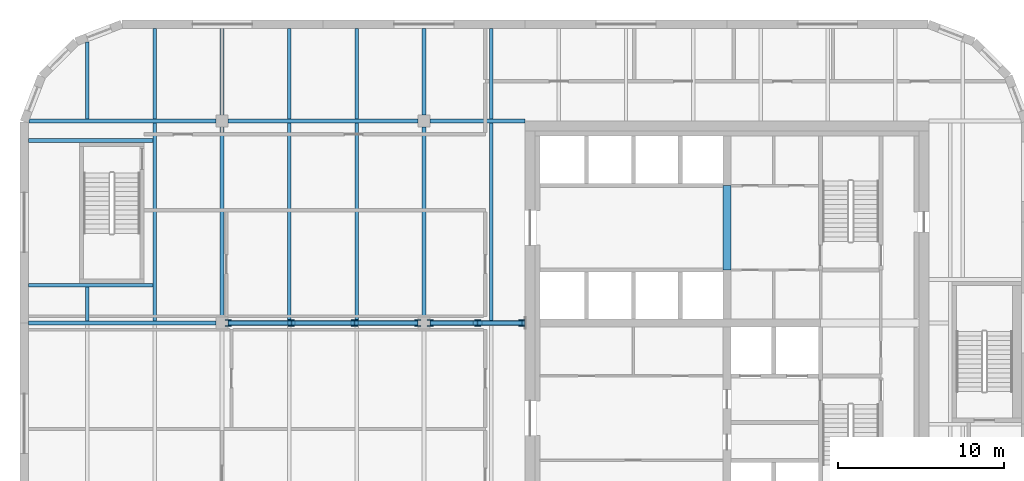
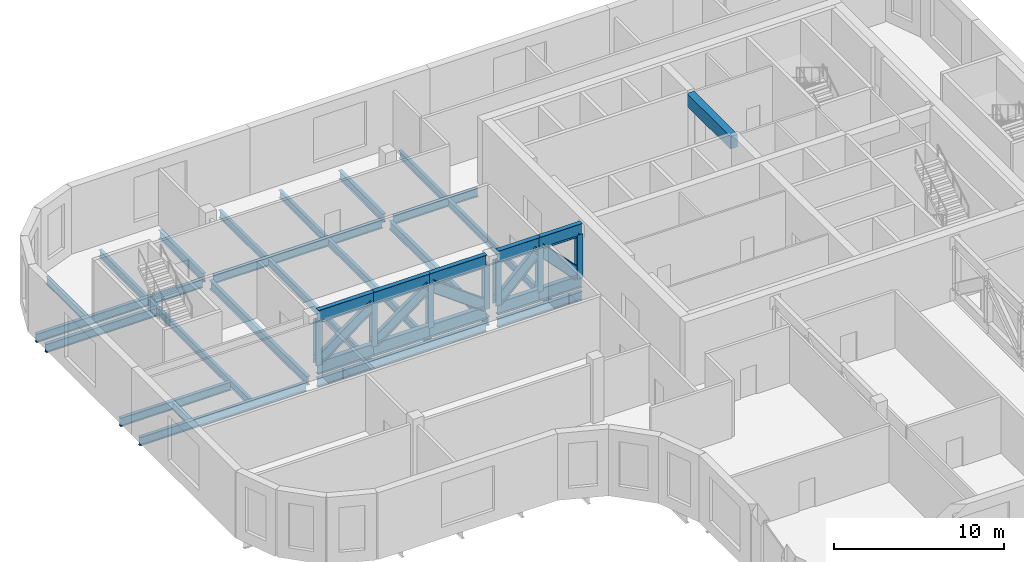
# One storey, part 3 of 12: 33 beams, 12 members.
"""IFC4 building model written with IfcOpenShell, lengths in metres."""

from ifc_helpers import new_model, si_unit, direction, frame, origin, origin_2d, place, context, subcontext, project, spatial, rectangle, i_section, extrude, material, material_profile, profile_set, type_object, element, save


model = new_model("IFC4")

# Units and contexts
model_context = context("Model", 3, precision=1e-05, world=origin(), true_north=direction((0.0, 1.0)))
body_context = subcontext(model_context, "Body", "Model", "MODEL_VIEW")
ifc_project = project(units=[si_unit("LENGTHUNIT", "METRE"), si_unit("AREAUNIT", "SQUARE_METRE"), si_unit("VOLUMEUNIT", "CUBIC_METRE"), si_unit("PLANEANGLEUNIT", "RADIAN"), si_unit("MASSUNIT", "GRAM", prefix="KILO")], contexts=[model_context])

# Site, building, storey
site_placement = place(None, origin())
site = spatial("IfcSite", under=ifc_project, at=site_placement, CompositionType="ELEMENT")
building_placement = place(site_placement, origin())
building = spatial("IfcBuilding", under=site, at=building_placement, Name="Tessera Gate Towers", CompositionType="ELEMENT")
storey_placement = place(building_placement, frame((0.0, 0.0, 150.60009765625)))
storey = spatial("IfcBuildingStorey", under=building, at=storey_placement, Name="L37", CompositionType="ELEMENT", Elevation=150.60009765625)

# Beams
ifc_material_1 = material(Name="Concrete C50/60", Category="concrete")
ifc_material_profile_1 = material_profile(ifc_material_1, rectangle(XDim=0.5, YDim=0.89990234375, at=origin_2d()), Name="RC 500x900")
ifc_profile_set_1 = profile_set([ifc_material_profile_1], Name="Concrete C50/60")
beam_type_1 = type_object("IfcBeamType", Name="COUPLING BEAM 500x900 C50/60", PredefinedType="BEAM", material=ifc_profile_set_1)
beam_1_placement = place(storey_placement, frame((42.699951171875, 39.800048828125, 4.14990234375), z_axis=(0.0, 1.0, 0.0), x_axis=(-1.0, 0.0, 0.0)))
element("IfcBeam", 1, at=beam_1_placement, inside=storey, type_object=beam_type_1, Name="L37 coupling beam 2", PredefinedType="BEAM", context=body_context, shape_type="SweptSolid", body=[
    extrude(rectangle(XDim=0.5, YDim=0.89990234375, at=origin_2d()), origin(), (0.0, 0.0, 1.0), 5.099853515625),
])
ifc_material_2 = material(Name="Steel 350W", Category="steel")
ifc_material_profile_2 = material_profile(ifc_material_2, i_section(OverallWidth=0.22900390625, OverallDepth=0.612060546875, WebThickness=0.011962890625, FlangeThickness=0.01953125, at=origin_2d()), Name="W610x125")
ifc_profile_set_2 = profile_set([ifc_material_profile_2], Name="Steel 350W")
beam_type_2 = type_object("IfcBeamType", Name="FLOOR GIRDER W610x125", PredefinedType="BEAM", material=ifc_profile_set_2)
beam_2_placement = place(storey_placement, frame((0.4990234375, 36.60009765625, -0.606201171875), z_axis=(1.0, 0.0, 0.0), x_axis=(0.0, 1.0, 0.0)))
element("IfcBeam", 2, at=beam_2_placement, inside=storey, type_object=beam_type_2, Name="T1-GD-L37-4303", PredefinedType="BEAM", context=body_context, shape_type="SweptSolid", body=[
    extrude(i_section(OverallWidth=0.22900390625, OverallDepth=0.612060546875, WebThickness=0.011962890625, FlangeThickness=0.01953125, at=origin_2d()), origin(), (0.0, 0.0, 1.0), 11.325927734375),
])
beam_3_placement = place(storey_placement, frame((12.574951171875, 36.60009765625, -0.606201171875), z_axis=(1.0, 0.0, 0.0), x_axis=(0.0, 1.0, 0.0)))
element("IfcBeam", 3, at=beam_3_placement, inside=storey, type_object=beam_type_2, Name="T1-GD-L37-4304", PredefinedType="BEAM", context=body_context, shape_type="SweptSolid", body=[
    extrude(i_section(OverallWidth=0.22900390625, OverallDepth=0.612060546875, WebThickness=0.011962890625, FlangeThickness=0.01953125, at=origin_2d()), origin(), (0.0, 0.0, 1.0), 11.449951171875),
])
beam_4_placement = place(storey_placement, frame((24.77490234375, 36.60009765625, -0.606201171875), z_axis=(1.0, 0.0, 0.0), x_axis=(0.0, 1.0, 0.0)))
element("IfcBeam", 4, at=beam_4_placement, inside=storey, type_object=beam_type_2, Name="T1-GD-L37-4305", PredefinedType="BEAM", context=body_context, shape_type="SweptSolid", body=[
    extrude(i_section(OverallWidth=0.22900390625, OverallDepth=0.612060546875, WebThickness=0.011962890625, FlangeThickness=0.01953125, at=origin_2d()), origin(), (0.0, 0.0, 1.0), 5.72607421875),
])
beam_5_placement = place(storey_placement, frame((0.534912109375, 48.800048828125, -0.606201171875), z_axis=(1.0, 0.0, 0.0), x_axis=(0.0, 1.0, 0.0)))
element("IfcBeam", 5, at=beam_5_placement, inside=storey, type_object=beam_type_2, Name="T1-GD-L37-4307", PredefinedType="BEAM", context=body_context, shape_type="SweptSolid", body=[
    extrude(i_section(OverallWidth=0.22900390625, OverallDepth=0.612060546875, WebThickness=0.011962890625, FlangeThickness=0.01953125, at=origin_2d()), origin(), (0.0, 0.0, 1.0), 11.2900390625),
])
beam_6_placement = place(storey_placement, frame((12.574951171875, 48.800048828125, -0.606201171875), z_axis=(1.0, 0.0, 0.0), x_axis=(0.0, 1.0, 0.0)))
element("IfcBeam", 6, at=beam_6_placement, inside=storey, type_object=beam_type_2, Name="T1-GD-L37-4308", PredefinedType="BEAM", context=body_context, shape_type="SweptSolid", body=[
    extrude(i_section(OverallWidth=0.22900390625, OverallDepth=0.612060546875, WebThickness=0.011962890625, FlangeThickness=0.01953125, at=origin_2d()), origin(), (0.0, 0.0, 1.0), 11.449951171875),
])
beam_7_placement = place(storey_placement, frame((24.77490234375, 48.800048828125, -0.606201171875), z_axis=(1.0, 0.0, 0.0), x_axis=(0.0, 1.0, 0.0)))
element("IfcBeam", 7, at=beam_7_placement, inside=storey, type_object=beam_type_2, Name="T1-GD-L37-4309", PredefinedType="BEAM", context=body_context, shape_type="SweptSolid", body=[
    extrude(i_section(OverallWidth=0.22900390625, OverallDepth=0.612060546875, WebThickness=0.011962890625, FlangeThickness=0.01953125, at=origin_2d()), origin(), (0.0, 0.0, 1.0), 5.72412109375),
])
beam_8_placement = place(storey_placement, frame((12.199951171875, 36.97509765625, -0.606201171875), z_axis=(0.0, 1.0, 0.0), x_axis=(-1.0, 0.0, 0.0)))
element("IfcBeam", 8, at=beam_8_placement, inside=storey, type_object=beam_type_2, Name="T1-GD-L37-4313", PredefinedType="BEAM", context=body_context, shape_type="SweptSolid", body=[
    extrude(i_section(OverallWidth=0.22900390625, OverallDepth=0.612060546875, WebThickness=0.011962890625, FlangeThickness=0.01953125, at=origin_2d()), origin(), (0.0, 0.0, 1.0), 11.449951171875),
])
beam_9_placement = place(storey_placement, frame((12.199951171875, 49.175048828125, -0.606201171875), z_axis=(0.0, 1.0, 0.0), x_axis=(-1.0, 0.0, 0.0)))
element("IfcBeam", 9, at=beam_9_placement, inside=storey, type_object=beam_type_2, Name="T1-GD-L37-4314", PredefinedType="BEAM", context=body_context, shape_type="SweptSolid", body=[
    extrude(i_section(OverallWidth=0.22900390625, OverallDepth=0.612060546875, WebThickness=0.011962890625, FlangeThickness=0.01953125, at=origin_2d()), origin(), (0.0, 0.0, 1.0), 5.225830078125),
])
beam_10_placement = place(storey_placement, frame((24.39990234375, 36.97509765625, -0.606201171875), z_axis=(0.0, 1.0, 0.0), x_axis=(-1.0, 0.0, 0.0)))
element("IfcBeam", 10, at=beam_10_placement, inside=storey, type_object=beam_type_2, Name="T1-GD-L37-4317", PredefinedType="BEAM", context=body_context, shape_type="SweptSolid", body=[
    extrude(i_section(OverallWidth=0.22900390625, OverallDepth=0.612060546875, WebThickness=0.011962890625, FlangeThickness=0.01953125, at=origin_2d()), origin(), (0.0, 0.0, 1.0), 11.449951171875),
])
beam_11_placement = place(storey_placement, frame((24.39990234375, 49.175048828125, -0.606201171875), z_axis=(0.0, 1.0, 0.0), x_axis=(-1.0, 0.0, 0.0)))
element("IfcBeam", 11, at=beam_11_placement, inside=storey, type_object=beam_type_2, Name="T1-GD-L37-4318", PredefinedType="BEAM", context=body_context, shape_type="SweptSolid", body=[
    extrude(i_section(OverallWidth=0.22900390625, OverallDepth=0.612060546875, WebThickness=0.011962890625, FlangeThickness=0.01953125, at=origin_2d()), origin(), (0.0, 0.0, 1.0), 5.225830078125),
])
for number, where, z_axis, x_axis, name in (
    (12, (0.4990234375, 38.8798828125, -0.606201171875), (1.0, 0.0, 0.0), (0.0, 1.0, 0.0), "T1-GD-L37-4323"),
    (13, (0.4990234375, 47.6201171875, -0.606201171875), (1.0, 0.0, 0.0), (0.0, 1.0, 0.0), "T1-GD-L37-4324"),
):
    element("IfcBeam", number, at=place(storey_placement, frame(where, z_axis=z_axis, x_axis=x_axis)), inside=storey, type_object=beam_type_2, Name=name, PredefinedType="BEAM", context=body_context, shape_type="SweptSolid", body=[
        extrude(i_section(OverallWidth=0.22900390625, OverallDepth=0.612060546875, WebThickness=0.011962890625, FlangeThickness=0.01953125, at=origin_2d()), origin(), (0.0, 0.0, 1.0), 7.52978515625),
    ])
ifc_material_3 = material(Name="Steel 350W", Category="steel")
ifc_material_profile_3 = material_profile(ifc_material_3, i_section(OverallWidth=0.208984375, OverallDepth=0.528076171875, WebThickness=0.009521484375, FlangeThickness=0.01318359375, at=origin_2d()), Name="W530x82")
ifc_profile_set_3 = profile_set([ifc_material_profile_3], Name="Steel 350W")
beam_type_3 = type_object("IfcBeamType", Name="FLOOR SECONDARY W530x82", PredefinedType="BEAM", material=ifc_profile_set_3)
beam_12_placement = place(storey_placement, frame((4.066650390625, 36.714599609375, -0.564208984375), z_axis=(0.0, 1.0, 0.0), x_axis=(-1.0, 0.0, 0.0)))
element("IfcBeam", 14, at=beam_12_placement, inside=storey, type_object=beam_type_3, Name="T1-BM-L37-4332", PredefinedType="BEAM", context=body_context, shape_type="SweptSolid", body=[
    extrude(i_section(OverallWidth=0.208984375, OverallDepth=0.528076171875, WebThickness=0.009521484375, FlangeThickness=0.01318359375, at=origin_2d()), origin(), (0.0, 0.0, 1.0), 2.05078125),
])
beam_13_placement = place(storey_placement, frame((4.066650390625, 48.91455078125, -0.564208984375), z_axis=(0.0, 1.0, 0.0), x_axis=(-1.0, 0.0, 0.0)))
element("IfcBeam", 15, at=beam_13_placement, inside=storey, type_object=beam_type_3, Name="T1-BM-L37-4333", PredefinedType="BEAM", context=body_context, shape_type="SweptSolid", body=[
    extrude(i_section(OverallWidth=0.208984375, OverallDepth=0.528076171875, WebThickness=0.009521484375, FlangeThickness=0.01318359375, at=origin_2d()), origin(), (0.0, 0.0, 1.0), 4.6650390625),
])
beam_14_placement = place(storey_placement, frame((8.13330078125, 36.714599609375, -0.564208984375), z_axis=(0.0, 1.0, 0.0), x_axis=(-1.0, 0.0, 0.0)))
element("IfcBeam", 16, at=beam_14_placement, inside=storey, type_object=beam_type_3, Name="T1-BM-L37-4336", PredefinedType="BEAM", context=body_context, shape_type="SweptSolid", body=[
    extrude(i_section(OverallWidth=0.208984375, OverallDepth=0.528076171875, WebThickness=0.009521484375, FlangeThickness=0.01318359375, at=origin_2d()), origin(), (0.0, 0.0, 1.0), 11.970947265625),
])
beam_15_placement = place(storey_placement, frame((8.13330078125, 48.91455078125, -0.564208984375), z_axis=(0.0, 1.0, 0.0), x_axis=(-1.0, 0.0, 0.0)))
element("IfcBeam", 17, at=beam_15_placement, inside=storey, type_object=beam_type_3, Name="T1-BM-L37-4337", PredefinedType="BEAM", context=body_context, shape_type="SweptSolid", body=[
    extrude(i_section(OverallWidth=0.208984375, OverallDepth=0.528076171875, WebThickness=0.009521484375, FlangeThickness=0.01318359375, at=origin_2d()), origin(), (0.0, 0.0, 1.0), 5.4853515625),
])
beam_16_placement = place(storey_placement, frame((16.2666015625, 36.714599609375, -0.564208984375), z_axis=(0.0, 1.0, 0.0), x_axis=(-1.0, 0.0, 0.0)))
element("IfcBeam", 18, at=beam_16_placement, inside=storey, type_object=beam_type_3, Name="T1-BM-L37-4340", PredefinedType="BEAM", context=body_context, shape_type="SweptSolid", body=[
    extrude(i_section(OverallWidth=0.208984375, OverallDepth=0.528076171875, WebThickness=0.009521484375, FlangeThickness=0.01318359375, at=origin_2d()), origin(), (0.0, 0.0, 1.0), 11.970947265625),
])
beam_17_placement = place(storey_placement, frame((16.2666015625, 48.91455078125, -0.564208984375), z_axis=(0.0, 1.0, 0.0), x_axis=(-1.0, 0.0, 0.0)))
element("IfcBeam", 19, at=beam_17_placement, inside=storey, type_object=beam_type_3, Name="T1-BM-L37-4341", PredefinedType="BEAM", context=body_context, shape_type="SweptSolid", body=[
    extrude(i_section(OverallWidth=0.208984375, OverallDepth=0.528076171875, WebThickness=0.009521484375, FlangeThickness=0.01318359375, at=origin_2d()), origin(), (0.0, 0.0, 1.0), 5.4853515625),
])
beam_18_placement = place(storey_placement, frame((20.333251953125, 36.714599609375, -0.564208984375), z_axis=(0.0, 1.0, 0.0), x_axis=(-1.0, 0.0, 0.0)))
element("IfcBeam", 20, at=beam_18_placement, inside=storey, type_object=beam_type_3, Name="T1-BM-L37-4344", PredefinedType="BEAM", context=body_context, shape_type="SweptSolid", body=[
    extrude(i_section(OverallWidth=0.208984375, OverallDepth=0.528076171875, WebThickness=0.009521484375, FlangeThickness=0.01318359375, at=origin_2d()), origin(), (0.0, 0.0, 1.0), 11.970947265625),
])
beam_19_placement = place(storey_placement, frame((20.333251953125, 48.91455078125, -0.564208984375), z_axis=(0.0, 1.0, 0.0), x_axis=(-1.0, 0.0, 0.0)))
element("IfcBeam", 21, at=beam_19_placement, inside=storey, type_object=beam_type_3, Name="T1-BM-L37-4345", PredefinedType="BEAM", context=body_context, shape_type="SweptSolid", body=[
    extrude(i_section(OverallWidth=0.208984375, OverallDepth=0.528076171875, WebThickness=0.009521484375, FlangeThickness=0.01318359375, at=origin_2d()), origin(), (0.0, 0.0, 1.0), 5.4853515625),
])
beam_20_placement = place(storey_placement, frame((28.466796875, 36.714599609375, -0.564208984375), z_axis=(0.0, 1.0, 0.0), x_axis=(-1.0, 0.0, 0.0)))
element("IfcBeam", 22, at=beam_20_placement, inside=storey, type_object=beam_type_3, Name="T1-BM-L37-4349", PredefinedType="BEAM", context=body_context, shape_type="SweptSolid", body=[
    extrude(i_section(OverallWidth=0.208984375, OverallDepth=0.528076171875, WebThickness=0.009521484375, FlangeThickness=0.01318359375, at=origin_2d()), origin(), (0.0, 0.0, 1.0), 11.970947265625),
])
beam_21_placement = place(storey_placement, frame((28.466796875, 48.91455078125, -0.564208984375), z_axis=(0.0, 1.0, 0.0), x_axis=(-1.0, 0.0, 0.0)))
element("IfcBeam", 23, at=beam_21_placement, inside=storey, type_object=beam_type_3, Name="T1-BM-L37-4350", PredefinedType="BEAM", context=body_context, shape_type="SweptSolid", body=[
    extrude(i_section(OverallWidth=0.208984375, OverallDepth=0.528076171875, WebThickness=0.009521484375, FlangeThickness=0.01318359375, at=origin_2d()), origin(), (0.0, 0.0, 1.0), 5.4853515625),
])

# Members
ifc_material_4 = material(Name="Steel 350W", Category="steel")
ifc_material_profile_4 = material_profile(ifc_material_4, i_section(OverallWidth=0.264892578125, OverallDepth=0.7529296875, WebThickness=0.01318359375, FlangeThickness=0.01708984375, at=origin_2d()), Name="W760x147")
ifc_profile_set_4 = profile_set([ifc_material_profile_4], Name="Steel 350W")
member_type_1 = type_object("IfcMemberType", Name="OUTRIGGER BRACE W760x147", PredefinedType="BRACE", material=ifc_profile_set_4)
member_1_placement = place(storey_placement, frame((30.3134765625, 36.60009765625, 0.90283203125), z_axis=(-0.691670960873, 0.0, 0.722212767739), x_axis=(0.0, -1.0, 0.0)))
element("IfcMember", 24, at=member_1_placement, inside=storey, type_object=member_type_1, Name="Outrigger truss T1 L37 W1a brace D1", PredefinedType="BRACE", context=body_context, shape_type="SweptSolid", body=[
    extrude(i_section(OverallWidth=0.264892578125, OverallDepth=0.7529296875, WebThickness=0.01318359375, FlangeThickness=0.01708984375, at=origin_2d()), origin(), (0.0, 0.0, 1.0), 3.868896484375),
])
member_2_placement = place(storey_placement, frame((24.77490234375, 36.60009765625, 0.90283203125), z_axis=(0.715599628005, 0.0, 0.698510681664), x_axis=(0.0, 1.0, 0.0)))
element("IfcMember", 25, at=member_2_placement, inside=storey, type_object=member_type_1, Name="Outrigger truss T1 L37 W1a brace D2", PredefinedType="BRACE", context=body_context, shape_type="SweptSolid", body=[
    extrude(i_section(OverallWidth=0.264892578125, OverallDepth=0.7529296875, WebThickness=0.01318359375, FlangeThickness=0.01708984375, at=origin_2d()), origin(), (0.0, 0.0, 1.0), 4.000244140625),
])
for number, where, z_axis, x_axis, name in (
    (26, (24.02490234375, 36.60009765625, 0.90283203125), (-0.806877317184, 0.0, 0.590719049138), (0.0, -1.0, 0.0), "Outrigger truss T1 L37 W1b brace D1"),
    (27, (16.3916015625, 36.60009765625, 0.90283203125), (0.806877317184, 0.0, 0.590719049138), (0.0, 1.0, 0.0), "Outrigger truss T1 L37 W1b brace D2"),
    (28, (12.574951171875, 36.60009765625, 0.90283203125), (0.806877317184, 0.0, 0.590719049138), (0.0, 1.0, 0.0), "Outrigger truss T1 L37 W1b brace D3"),
):
    element("IfcMember", number, at=place(storey_placement, frame(where, z_axis=z_axis, x_axis=x_axis)), inside=storey, type_object=member_type_1, Name=name, PredefinedType="BRACE", context=body_context, shape_type="SweptSolid", body=[
        extrude(i_section(OverallWidth=0.264892578125, OverallDepth=0.7529296875, WebThickness=0.01318359375, FlangeThickness=0.01708984375, at=origin_2d()), origin(), (0.0, 0.0, 1.0), 4.730224609375),
    ])

# Beams
ifc_material_5 = material(Name="Steel 350W", Category="steel")
ifc_material_profile_5 = material_profile(ifc_material_5, i_section(OverallWidth=0.303955078125, OverallDepth=0.903076171875, WebThickness=0.01513671875, FlangeThickness=0.02001953125, at=origin_2d()), Name="W920x201")
ifc_profile_set_5 = profile_set([ifc_material_profile_5], Name="Steel 350W")
beam_type_4 = type_object("IfcBeamType", Name="OUTRIGGER CHORD W920x201", PredefinedType="BEAM", material=ifc_profile_set_5)
for number, where, z_axis, x_axis, name in (
    (29, (30.5, 36.60009765625, 4.1484375), (-1.0, 0.0, 0.0), (0.0, -1.0, 0.0), "Outrigger truss T1 L37 W1a top chord TC1"),
    (30, (30.5, 36.60009765625, 0.451416015625), (-1.0, 0.0, 0.0), (0.0, -1.0, 0.0), "Outrigger truss T1 L37 W1a bottom chord BC1"),
    (31, (27.637451171875, 36.60009765625, 4.1484375), (-1.0, 0.0, 0.0), (0.0, -1.0, 0.0), "Outrigger truss T1 L37 W1a top chord TC2"),
    (32, (27.637451171875, 36.60009765625, 0.451416015625), (-1.0, 0.0, 0.0), (0.0, -1.0, 0.0), "Outrigger truss T1 L37 W1a bottom chord BC2"),
):
    element("IfcBeam", number, at=place(storey_placement, frame(where, z_axis=z_axis, x_axis=x_axis)), inside=storey, type_object=beam_type_4, Name=name, PredefinedType="BEAM", context=body_context, shape_type="SweptSolid", body=[
        extrude(i_section(OverallWidth=0.303955078125, OverallDepth=0.903076171875, WebThickness=0.01513671875, FlangeThickness=0.02001953125, at=origin_2d()), origin(), (0.0, 0.0, 1.0), 2.862548828125),
    ])
for number, where, z_axis, x_axis, name in (
    (33, (24.02490234375, 36.60009765625, 4.1484375), (-1.0, 0.0, 0.0), (0.0, -1.0, 0.0), "Outrigger truss T1 L37 W1b top chord TC1"),
    (34, (24.02490234375, 36.60009765625, 0.451416015625), (-1.0, 0.0, 0.0), (0.0, -1.0, 0.0), "Outrigger truss T1 L37 W1b bottom chord BC1"),
    (35, (20.208251953125, 36.60009765625, 4.1484375), (-1.0, 0.0, 0.0), (0.0, -1.0, 0.0), "Outrigger truss T1 L37 W1b top chord TC2"),
    (36, (20.208251953125, 36.60009765625, 0.451416015625), (-1.0, 0.0, 0.0), (0.0, -1.0, 0.0), "Outrigger truss T1 L37 W1b bottom chord BC2"),
    (37, (16.3916015625, 36.60009765625, 4.1484375), (-1.0, 0.0, 0.0), (0.0, -1.0, 0.0), "Outrigger truss T1 L37 W1b top chord TC3"),
    (38, (16.3916015625, 36.60009765625, 0.451416015625), (-1.0, 0.0, 0.0), (0.0, -1.0, 0.0), "Outrigger truss T1 L37 W1b bottom chord BC3"),
):
    element("IfcBeam", number, at=place(storey_placement, frame(where, z_axis=z_axis, x_axis=x_axis)), inside=storey, type_object=beam_type_4, Name=name, PredefinedType="BEAM", context=body_context, shape_type="SweptSolid", body=[
        extrude(i_section(OverallWidth=0.303955078125, OverallDepth=0.903076171875, WebThickness=0.01513671875, FlangeThickness=0.02001953125, at=origin_2d()), origin(), (0.0, 0.0, 1.0), 3.816650390625),
    ])

# Members
ifc_material_6 = material(Name="Steel 350W", Category="steel")
ifc_material_profile_6 = material_profile(ifc_material_6, i_section(OverallWidth=0.373046875, OverallDepth=0.367919921875, WebThickness=0.014892578125, FlangeThickness=0.02392578125, at=origin_2d()), Name="W360x179")
ifc_profile_set_6 = profile_set([ifc_material_profile_6], Name="Steel 350W")
member_type_2 = type_object("IfcMemberType", Name="OUTRIGGER POST W360x179", PredefinedType="POST", material=ifc_profile_set_6)
for number, where, z_axis, x_axis, name in (
    (39, (30.3134765625, 36.60009765625, 0.72314453125), (0.0, 0.0, 1.0), (1.0, 0.0, 0.0), "Outrigger truss T1 L37 W1a post V0"),
    (40, (27.637451171875, 36.60009765625, 0.72314453125), (0.0, 0.0, 1.0), (1.0, 0.0, 0.0), "Outrigger truss T1 L37 W1a post V1"),
    (41, (24.77490234375, 36.60009765625, 0.72314453125), (0.0, 0.0, 1.0), (1.0, 0.0, 0.0), "Outrigger truss T1 L37 W1a post V2"),
    (42, (24.02490234375, 36.60009765625, 0.72314453125), (0.0, 0.0, 1.0), (1.0, 0.0, 0.0), "Outrigger truss T1 L37 W1b post V0"),
    (43, (20.208251953125, 36.60009765625, 0.72314453125), (0.0, 0.0, 1.0), (1.0, 0.0, 0.0), "Outrigger truss T1 L37 W1b post V1"),
    (44, (16.3916015625, 36.60009765625, 0.72314453125), (0.0, 0.0, 1.0), (1.0, 0.0, 0.0), "Outrigger truss T1 L37 W1b post V2"),
    (45, (12.574951171875, 36.60009765625, 0.72314453125), (0.0, 0.0, 1.0), (1.0, 0.0, 0.0), "Outrigger truss T1 L37 W1b post V3"),
):
    element("IfcMember", number, at=place(storey_placement, frame(where, z_axis=z_axis, x_axis=x_axis)), inside=storey, type_object=member_type_2, Name=name, PredefinedType="POST", context=body_context, shape_type="SweptSolid", body=[
        extrude(i_section(OverallWidth=0.373046875, OverallDepth=0.367919921875, WebThickness=0.014892578125, FlangeThickness=0.02392578125, at=origin_2d()), origin(), (0.0, 0.0, 1.0), 3.153564453125),
    ])

save(model, "model.ifc")
